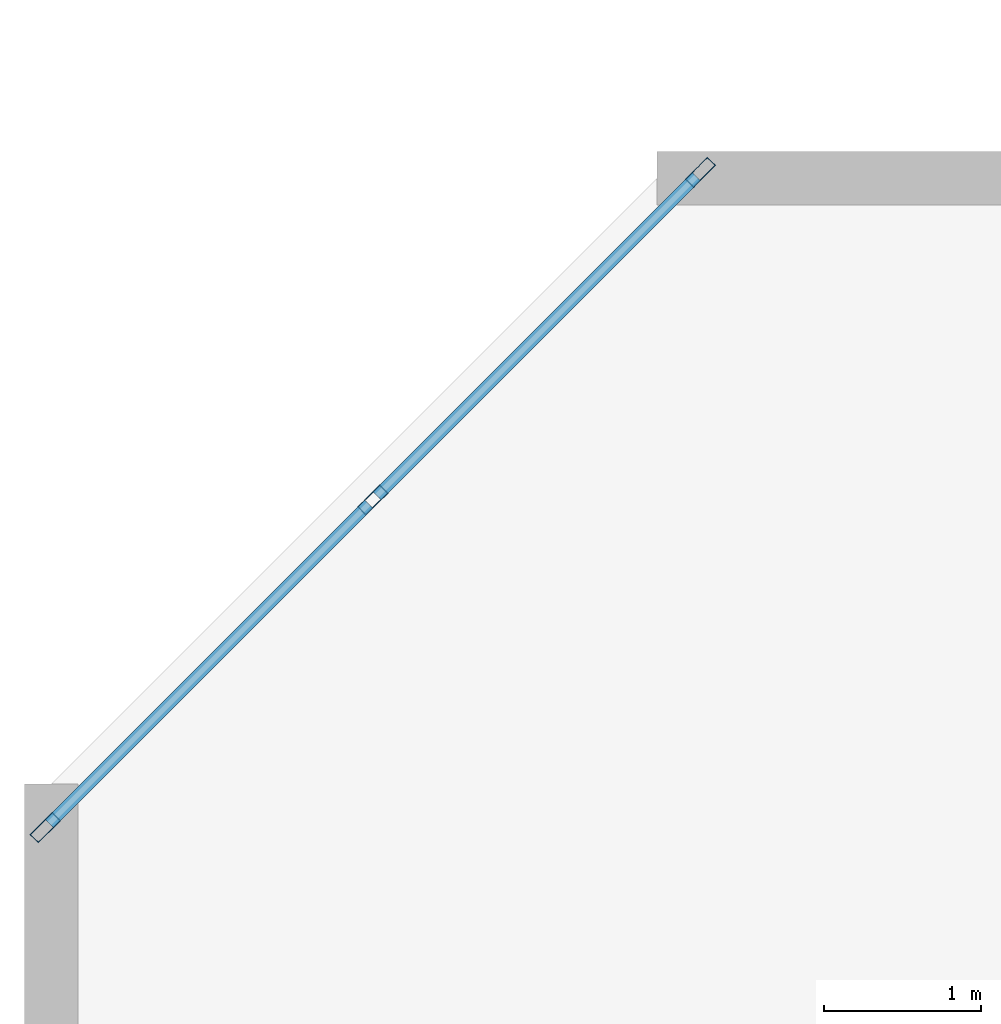
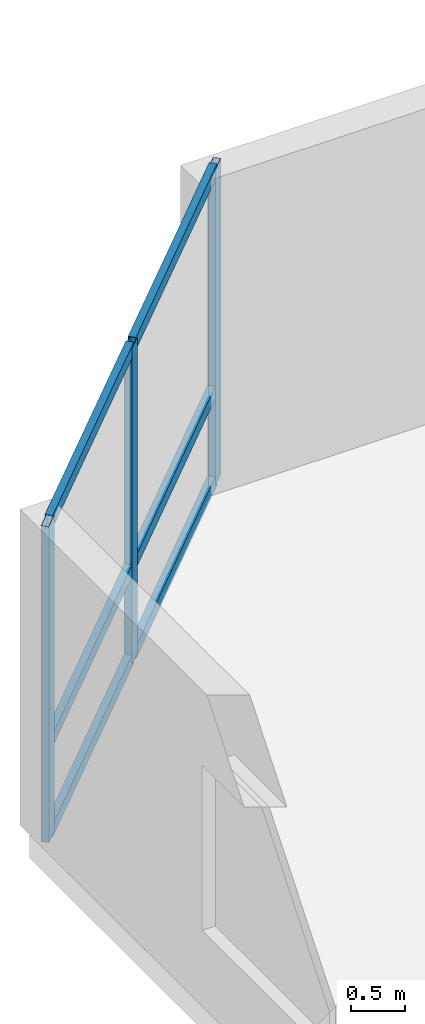
# One storey, part 3 of 11: 9 members, 1 element without a shape of its own.
"""IFC4 building model written with IfcOpenShell, lengths in metres."""

from ifc_helpers import new_model, si_unit, direction, frame, origin, origin_2d, place, context, subcontext, project, spatial, hollow_rectangle, extrude, material, layer, layer_set, material_profile, profile_set, type_object, element, aggregate, save


model = new_model("IFC4")

# Units and contexts
model_context = context("Model", 3, precision=1e-05, world=origin(), true_north=direction((0.0, 1.0)))
body_context = subcontext(model_context, "Body", "Model", "MODEL_VIEW")
ifc_project = project(units=[si_unit("LENGTHUNIT", "METRE"), si_unit("AREAUNIT", "SQUARE_METRE"), si_unit("VOLUMEUNIT", "CUBIC_METRE"), si_unit("PLANEANGLEUNIT", "RADIAN"), si_unit("MASSUNIT", "GRAM", prefix="KILO")], contexts=[model_context])

# Site, building, storey
site_placement = place(None, origin())
site = spatial("IfcSite", under=ifc_project, at=site_placement, CompositionType="ELEMENT")
building_placement = place(site_placement, origin())
building = spatial("IfcBuilding", under=site, at=building_placement, Name="Kestravale Grand Hotel", CompositionType="ELEMENT")
storey_placement = place(building_placement, frame((0.0, 0.0, 45.0)))
storey = spatial("IfcBuildingStorey", under=building, at=storey_placement, Name="L10", CompositionType="ELEMENT", Elevation=45.0)

# Curtain wall, members
ifc_material_1 = material(Name="Thermally broken champagne-bronze aluminium and low-E glazing", Category="aluminium")
ifc_layer = layer(ifc_material_1, 0.199951171875)
ifc_layer_set = layer_set([ifc_layer], Name="CW-Z1")
curtain_wall_type = type_object("IfcCurtainWallType", Name="CW-Z1", PredefinedType="NOTDEFINED", material=ifc_layer_set)
curtain_wall_placement = place(storey_placement, origin())
curtain_wall = element("IfcCurtainWall", 1, at=curtain_wall_placement, inside=storey, type_object=curtain_wall_type, Name="L10 unitised curtain wall 18", PredefinedType="NOTDEFINED")
ifc_material_2 = material(Name="Aluminium 6063-T6 anodised", Category="aluminium")
ifc_material_profile_1 = material_profile(ifc_material_2, hollow_rectangle(XDim=0.074951171875, YDim=0.199951171875, WallThickness=0.00390625, at=origin_2d()))
ifc_profile_set_1 = profile_set([ifc_material_profile_1], Name="Aluminium 6063-T6 anodised")
member_type_1 = type_object("IfcMemberType", Name="CW-MUL-200", PredefinedType="MULLION", material=ifc_profile_set_1)
member_1_placement = place(storey_placement, frame((6.707763671875, 46.0673828125, 0.0), z_axis=(0.0, 0.0, 1.0), x_axis=(0.707106781187, -0.707106781187, 0.0)))
member_1 = element("IfcMember", 2, at=member_1_placement, type_object=member_type_1, Name="CW-Z1 mullion 1", PredefinedType="MULLION", context=body_context, shape_type="SweptSolid", body=[
    extrude(hollow_rectangle(XDim=0.074951171875, YDim=0.199951171875, WallThickness=0.00390625, at=origin_2d()), origin(), (0.0, 0.0, 1.0), 3.5400390625),
])
member_2_placement = place(storey_placement, frame((4.6201171875, 43.979736328125, 0.0), z_axis=(0.0, 0.0, 1.0), x_axis=(0.707106781187, -0.707106781187, 0.0)))
member_2 = element("IfcMember", 3, at=member_2_placement, type_object=member_type_1, Name="CW-Z1 mullion 2", PredefinedType="MULLION", context=body_context, shape_type="SweptSolid", body=[
    extrude(hollow_rectangle(XDim=0.074951171875, YDim=0.199951171875, WallThickness=0.00390625, at=origin_2d()), origin(), (0.0, 0.0, 1.0), 3.5400390625),
])
member_3_placement = place(storey_placement, frame((2.532470703125, 41.89208984375, 0.0), z_axis=(0.0, 0.0, 1.0), x_axis=(0.707106781187, -0.707106781187, 0.0)))
member_3 = element("IfcMember", 4, at=member_3_placement, type_object=member_type_1, Name="CW-Z1 mullion 3", PredefinedType="MULLION", context=body_context, shape_type="SweptSolid", body=[
    extrude(hollow_rectangle(XDim=0.074951171875, YDim=0.199951171875, WallThickness=0.00390625, at=origin_2d()), origin(), (0.0, 0.0, 1.0), 3.5400390625),
])
ifc_material_3 = material(Name="Aluminium 6063-T6 anodised", Category="aluminium")
ifc_material_profile_2 = material_profile(ifc_material_3, hollow_rectangle(XDim=0.074951171875, YDim=0.139892578125, WallThickness=0.00341796875, at=origin_2d()))
ifc_profile_set_2 = profile_set([ifc_material_profile_2], Name="Aluminium 6063-T6 anodised")
member_type_2 = type_object("IfcMemberType", Name="CW-TRN-140", PredefinedType="USERDEFINED", material=ifc_profile_set_2)
member_4_placement = place(storey_placement, frame((6.681396484375, 46.041015625, 0.03759765625), z_axis=(-0.707106781187, -0.707106781187, 0.0), x_axis=(0.707106781187, -0.707106781187, 0.0)))
member_4 = element("IfcMember", 5, at=member_4_placement, type_object=member_type_2, Name="CW-Z1 transom 1.1", ObjectType="TRANSOM", PredefinedType="USERDEFINED", context=body_context, shape_type="SweptSolid", body=[
    extrude(hollow_rectangle(XDim=0.074951171875, YDim=0.139892578125, WallThickness=0.00341796875, at=origin_2d()), origin(), (0.0, 0.0, 1.0), 2.87744140625),
])
member_5_placement = place(storey_placement, frame((6.681396484375, 46.041015625, 1.050048828125), z_axis=(-0.707106781187, -0.707106781187, 0.0), x_axis=(0.707106781187, -0.707106781187, 0.0)))
member_5 = element("IfcMember", 6, at=member_5_placement, type_object=member_type_2, Name="CW-Z1 transom 1.2", ObjectType="TRANSOM", PredefinedType="USERDEFINED", context=body_context, shape_type="SweptSolid", body=[
    extrude(hollow_rectangle(XDim=0.074951171875, YDim=0.139892578125, WallThickness=0.00341796875, at=origin_2d()), origin(), (0.0, 0.0, 1.0), 2.87744140625),
])
member_6_placement = place(storey_placement, frame((6.681396484375, 46.041015625, 3.50244140625), z_axis=(-0.707106781187, -0.707106781187, 0.0), x_axis=(0.707106781187, -0.707106781187, 0.0)))
member_6 = element("IfcMember", 7, at=member_6_placement, type_object=member_type_2, Name="CW-Z1 transom 1.3", ObjectType="TRANSOM", PredefinedType="USERDEFINED", context=body_context, shape_type="SweptSolid", body=[
    extrude(hollow_rectangle(XDim=0.074951171875, YDim=0.139892578125, WallThickness=0.00341796875, at=origin_2d()), origin(), (0.0, 0.0, 1.0), 2.87744140625),
])
member_7_placement = place(storey_placement, frame((4.59375, 43.953369140625, 0.03759765625), z_axis=(-0.707106781187, -0.707106781187, 0.0), x_axis=(0.707106781187, -0.707106781187, 0.0)))
member_7 = element("IfcMember", 8, at=member_7_placement, type_object=member_type_2, Name="CW-Z1 transom 2.1", ObjectType="TRANSOM", PredefinedType="USERDEFINED", context=body_context, shape_type="SweptSolid", body=[
    extrude(hollow_rectangle(XDim=0.074951171875, YDim=0.139892578125, WallThickness=0.00341796875, at=origin_2d()), origin(), (0.0, 0.0, 1.0), 2.87744140625),
])
member_8_placement = place(storey_placement, frame((4.59375, 43.953369140625, 1.050048828125), z_axis=(-0.707106781187, -0.707106781187, 0.0), x_axis=(0.707106781187, -0.707106781187, 0.0)))
member_8 = element("IfcMember", 9, at=member_8_placement, type_object=member_type_2, Name="CW-Z1 transom 2.2", ObjectType="TRANSOM", PredefinedType="USERDEFINED", context=body_context, shape_type="SweptSolid", body=[
    extrude(hollow_rectangle(XDim=0.074951171875, YDim=0.139892578125, WallThickness=0.00341796875, at=origin_2d()), origin(), (0.0, 0.0, 1.0), 2.87744140625),
])
member_9_placement = place(storey_placement, frame((4.59375, 43.953369140625, 3.50244140625), z_axis=(-0.707106781187, -0.707106781187, 0.0), x_axis=(0.707106781187, -0.707106781187, 0.0)))
member_9 = element("IfcMember", 10, at=member_9_placement, type_object=member_type_2, Name="CW-Z1 transom 2.3", ObjectType="TRANSOM", PredefinedType="USERDEFINED", context=body_context, shape_type="SweptSolid", body=[
    extrude(hollow_rectangle(XDim=0.074951171875, YDim=0.139892578125, WallThickness=0.00341796875, at=origin_2d()), origin(), (0.0, 0.0, 1.0), 2.87744140625),
])
aggregate(curtain_wall, [member_1, member_2, member_3, member_4, member_5, member_6, member_7, member_8, member_9])

save(model, "model.ifc")
